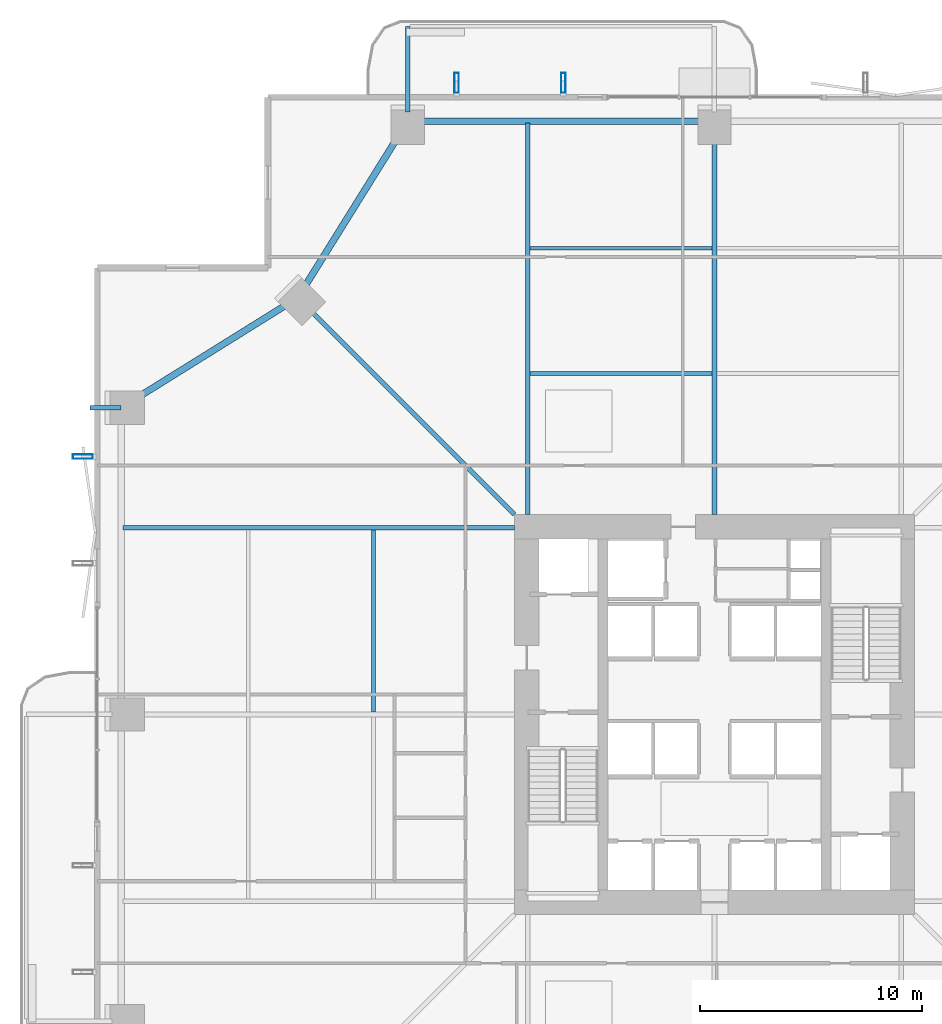
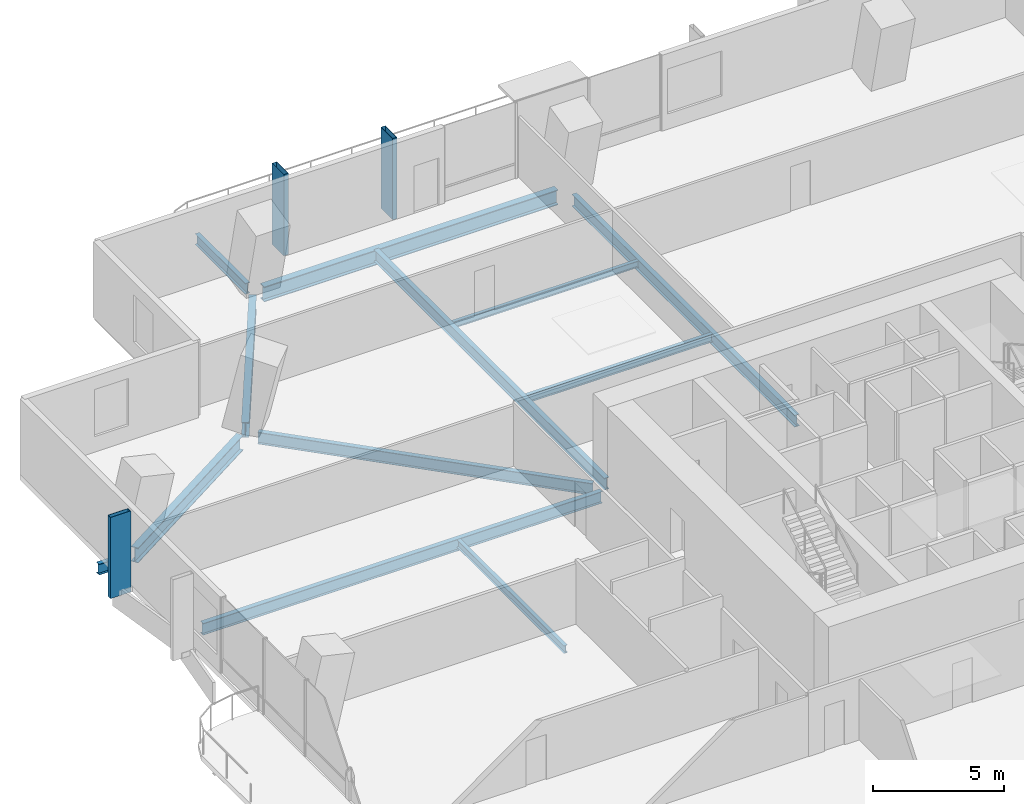
# One storey, part 10 of 24: 12 beams, 3 members.
"""IFC4 building model written with IfcOpenShell, lengths in metres."""

from ifc_helpers import new_model, si_unit, direction, frame, origin, origin_2d, place, context, subcontext, project, spatial, hollow_rectangle, i_section, extrude, material, material_profile, profile_set, type_object, element, save


model = new_model("IFC4")

# Units and contexts
model_context = context("Model", 3, precision=1e-05, world=origin(), true_north=direction((0.0, 1.0)))
body_context = subcontext(model_context, "Body", "Model", "MODEL_VIEW")
ifc_project = project(units=[si_unit("LENGTHUNIT", "METRE"), si_unit("AREAUNIT", "SQUARE_METRE"), si_unit("VOLUMEUNIT", "CUBIC_METRE"), si_unit("PLANEANGLEUNIT", "RADIAN"), si_unit("MASSUNIT", "GRAM", prefix="KILO")], contexts=[model_context])

# Site, building, storey
site_placement = place(None, origin())
site = spatial("IfcSite", under=ifc_project, at=site_placement, CompositionType="ELEMENT")
building_placement = place(site_placement, origin())
building = spatial("IfcBuilding", under=site, at=building_placement, Name="Belovzor Exchange Tower", CompositionType="ELEMENT")
storey_placement = place(building_placement, frame((0.0, 0.0, 104.10009765625)))
storey = spatial("IfcBuildingStorey", under=building, at=storey_placement, Name="L25", CompositionType="ELEMENT", Elevation=104.10009765625)

# Beams
ifc_material_1 = material(Name="Steel S355", Category="steel")
ifc_material_profile_1 = material_profile(ifc_material_1, i_section(OverallWidth=0.199951171875, OverallDepth=0.5, WebThickness=0.01025390625, FlangeThickness=0.01611328125, at=origin_2d()))
ifc_profile_set_1 = profile_set([ifc_material_profile_1], Name="Steel S355")
beam_type_1 = type_object("IfcBeamType", Name="Planted Balcony Cantilever Beam IPE 500", PredefinedType="BEAM", material=ifc_profile_set_1)
beam_1_placement = place(storey_placement, frame((15.0, 55.9130859375, -0.5), z_axis=(0.0, 1.0, 0.0), x_axis=(-1.0, 0.0, 0.0)))
element("IfcBeam", 1, at=beam_1_placement, inside=storey, type_object=beam_type_1, Name="BC-500 Planted Balcony Cantilever Beam IPE 500", PredefinedType="BEAM", context=body_context, shape_type="SweptSolid", body=[
    extrude(i_section(OverallWidth=0.199951171875, OverallDepth=0.5, WebThickness=0.01025390625, FlangeThickness=0.01611328125, at=origin_2d()), origin(), (0.0, 0.0, 1.0), 3.849853515625),
])
beam_2_placement = place(storey_placement, frame((2.10009765625, 42.60009765625, -0.5), z_axis=(-1.0, 0.0, 0.0), x_axis=(0.0, -1.0, 0.0)))
element("IfcBeam", 2, at=beam_2_placement, inside=storey, type_object=beam_type_1, Name="BC-500 Planted Balcony Cantilever Beam IPE 500", PredefinedType="BEAM", context=body_context, shape_type="SweptSolid", body=[
    extrude(i_section(OverallWidth=0.199951171875, OverallDepth=0.5, WebThickness=0.01025390625, FlangeThickness=0.01611328125, at=origin_2d()), origin(), (0.0, 0.0, 1.0), 1.400146484375),
])
ifc_material_2 = material(Name="Steel S355", Category="steel")
ifc_material_profile_2 = material_profile(ifc_material_2, i_section(OverallWidth=0.169921875, OverallDepth=0.360107421875, WebThickness=0.008056640625, FlangeThickness=0.0126953125, at=origin_2d()))
ifc_profile_set_2 = profile_set([ifc_material_profile_2], Name="Steel S355")
beam_type_2 = type_object("IfcBeamType", Name="Secondary Infill Floor Joist IPE 360", PredefinedType="BEAM", material=ifc_profile_set_2)
beam_3_placement = place(storey_placement, frame((20.5048828125, 44.14501953125, -0.43017578125), z_axis=(1.0, 0.0, 0.0), x_axis=(0.0, 1.0, 0.0)))
element("IfcBeam", 3, at=beam_3_placement, inside=storey, type_object=beam_type_2, Name="FJ-360 Secondary Infill Floor Joist IPE 360", PredefinedType="BEAM", context=body_context, shape_type="SweptSolid", body=[
    extrude(i_section(OverallWidth=0.169921875, OverallDepth=0.360107421875, WebThickness=0.008056640625, FlangeThickness=0.0126953125, at=origin_2d()), origin(), (0.0, 0.0, 1.0), 8.190185546875),
])
beam_4_placement = place(storey_placement, frame((13.455078125, 28.905029296875, -0.43017578125), z_axis=(0.0, 1.0, 0.0), x_axis=(-1.0, 0.0, 0.0)))
element("IfcBeam", 4, at=beam_4_placement, inside=storey, type_object=beam_type_2, Name="FJ-360 Secondary Infill Floor Joist IPE 360", PredefinedType="BEAM", context=body_context, shape_type="SweptSolid", body=[
    extrude(i_section(OverallWidth=0.169921875, OverallDepth=0.360107421875, WebThickness=0.008056640625, FlangeThickness=0.0126953125, at=origin_2d()), origin(), (0.0, 0.0, 1.0), 8.18994140625),
])
ifc_material_3 = material(Name="Steel S355", Category="steel")
ifc_material_profile_3 = material_profile(ifc_material_3, i_section(OverallWidth=0.14990234375, OverallDepth=0.300048828125, WebThickness=0.007080078125, FlangeThickness=0.0107421875, at=origin_2d()))
ifc_profile_set_3 = profile_set([ifc_material_profile_3], Name="Steel S355")
beam_type_3 = type_object("IfcBeamType", Name="Secondary Trim Floor Joist IPE 300", PredefinedType="BEAM", material=ifc_profile_set_3)
beam_5_placement = place(storey_placement, frame((20.5048828125, 49.784912109375, -0.400146484375), z_axis=(1.0, 0.0, 0.0), x_axis=(0.0, 1.0, 0.0)))
element("IfcBeam", 5, at=beam_5_placement, inside=storey, type_object=beam_type_3, Name="FJ-300 Secondary Trim Floor Joist IPE 300", PredefinedType="BEAM", context=body_context, shape_type="SweptSolid", body=[
    extrude(i_section(OverallWidth=0.14990234375, OverallDepth=0.300048828125, WebThickness=0.007080078125, FlangeThickness=0.0107421875, at=origin_2d()), origin(), (0.0, 0.0, 1.0), 8.190185546875),
])

# Members
ifc_material_4 = material(Name="Extruded Architectural Terracotta on Steel S355 Carrier", Category="masonry")
ifc_material_profile_4 = material_profile(ifc_material_4, hollow_rectangle(XDim=0.199951171875, YDim=0.89990234375, WallThickness=0.011962890625, at=origin_2d()))
ifc_profile_set_4 = profile_set([ifc_material_profile_4], Name="Extruded Architectural Terracotta on Steel S355 Carrier")
member_type = type_object("IfcMemberType", Name="Sweeping Terracotta Baguette Fin Assembly 1250", PredefinedType="USERDEFINED", material=ifc_profile_set_4)
for number, where, z_axis, x_axis, name in (
    (6, (17.199951171875, 57.22509765625, -0.25), (0.0, 0.0, 1.0), (1.0, 0.0, 0.0), "FIN-TC125 Terracotta Facade Fin L25 N1"),
    (7, (22.0, 57.22509765625, -0.25), (0.0, 0.0, 1.0), (1.0, 0.0, 0.0), "FIN-TC125 Terracotta Facade Fin L25 N2"),
    (8, (0.375, 40.39990234375, -0.25), (0.0, 0.0, 1.0), (0.0, 1.0, 0.0), "FIN-TC125 Terracotta Facade Fin L25 W4"),
):
    element("IfcMember", number, at=place(storey_placement, frame(where, z_axis=z_axis, x_axis=x_axis)), inside=storey, type_object=member_type, Name=name, ObjectType="FIN", PredefinedType="USERDEFINED", context=body_context, shape_type="SweptSolid", body=[
        extrude(hollow_rectangle(XDim=0.199951171875, YDim=0.89990234375, WallThickness=0.011962890625, at=origin_2d()), origin(), (0.0, 0.0, 1.0), 3.789794921875),
    ])

# Beams
ifc_material_5 = material(Name="Steel S355", Category="steel")
ifc_material_profile_5 = material_profile(ifc_material_5, i_section(OverallWidth=0.300048828125, OverallDepth=0.699951171875, WebThickness=0.01708984375, FlangeThickness=0.031982421875, at=origin_2d()))
ifc_profile_set_5 = profile_set([ifc_material_profile_5], Name="Steel S355")
beam_type_4 = type_object("IfcBeamType", Name="Zone 1 Primary Perimeter Girder HEB 700", PredefinedType="BEAM", material=ifc_profile_set_5)
beam_6_placement = place(storey_placement, frame((28.386962890625, 55.5, -0.60009765625), z_axis=(-1.0, 0.0, 0.0), x_axis=(0.0, -1.0, 0.0)))
element("IfcBeam", 9, at=beam_6_placement, inside=storey, type_object=beam_type_4, Name="FG-Z1 Zone 1 Primary Perimeter Girder HEB 700", PredefinedType="BEAM", context=body_context, shape_type="SweptSolid", body=[
    extrude(i_section(OverallWidth=0.300048828125, OverallDepth=0.699951171875, WebThickness=0.01708984375, FlangeThickness=0.031982421875, at=origin_2d()), origin(), (0.0, 0.0, 1.0), 12.974853515625),
])
for number, where, z_axis, x_axis, name in (
    (10, (14.781982421875, 55.14990234375, -0.60009765625), (-0.528538629686, -0.848909251292, 0.0), (0.848909251292, -0.528538629686, 0.0), "FG-Z1 Zone 1 Primary Perimeter Girder HEB 700"),
    (11, (9.699951171875, 47.33203125, -0.60009765625), (-0.848909251292, -0.528538629686, 0.0), (0.528538629686, -0.848909251292, 0.0), "FG-Z1 Zone 1 Primary Perimeter Girder HEB 700"),
):
    element("IfcBeam", number, at=place(storey_placement, frame(where, z_axis=z_axis, x_axis=x_axis)), inside=storey, type_object=beam_type_4, Name=name, PredefinedType="BEAM", context=body_context, shape_type="SweptSolid", body=[
        extrude(i_section(OverallWidth=0.300048828125, OverallDepth=0.699951171875, WebThickness=0.01708984375, FlangeThickness=0.031982421875, at=origin_2d()), origin(), (0.0, 0.0, 1.0), 8.540283203125),
    ])
ifc_material_6 = material(Name="Steel S355", Category="steel")
ifc_material_profile_6 = material_profile(ifc_material_6, i_section(OverallWidth=0.2099609375, OverallDepth=0.550048828125, WebThickness=0.010986328125, FlangeThickness=0.01708984375, at=origin_2d()))
ifc_profile_set_6 = profile_set([ifc_material_profile_6], Name="Steel S355")
beam_type_5 = type_object("IfcBeamType", Name="Zone 1 Radial Composite Floor Beam IPE 550", PredefinedType="BEAM", material=ifc_profile_set_6)
beam_7_placement = place(storey_placement, frame((20.39990234375, 37.800048828125, -0.525146484375), z_axis=(0.0, 1.0, 0.0), x_axis=(-1.0, 0.0, 0.0)))
element("IfcBeam", 12, at=beam_7_placement, inside=storey, type_object=beam_type_5, Name="FB-550 Zone 1 Radial Composite Floor Beam IPE 550", PredefinedType="BEAM", context=body_context, shape_type="SweptSolid", body=[
    extrude(i_section(OverallWidth=0.2099609375, OverallDepth=0.550048828125, WebThickness=0.010986328125, FlangeThickness=0.01708984375, at=origin_2d()), origin(), (0.0, 0.0, 1.0), 17.625),
])
beam_8_placement = place(storey_placement, frame((28.800048828125, 37.800048828125, -0.525146484375), z_axis=(0.0, 1.0, 0.0), x_axis=(-1.0, 0.0, 0.0)))
element("IfcBeam", 13, at=beam_8_placement, inside=storey, type_object=beam_type_5, Name="FB-550 Zone 1 Radial Composite Floor Beam IPE 550", PredefinedType="BEAM", context=body_context, shape_type="SweptSolid", body=[
    extrude(i_section(OverallWidth=0.2099609375, OverallDepth=0.550048828125, WebThickness=0.010986328125, FlangeThickness=0.01708984375, at=origin_2d()), origin(), (0.0, 0.0, 1.0), 17.0400390625),
])
beam_9_placement = place(storey_placement, frame((19.800048828125, 37.199951171875, -0.525146484375), z_axis=(-1.0, 0.0, 0.0), x_axis=(0.0, -1.0, 0.0)))
element("IfcBeam", 14, at=beam_9_placement, inside=storey, type_object=beam_type_5, Name="FB-550 Zone 1 Radial Composite Floor Beam IPE 550", PredefinedType="BEAM", context=body_context, shape_type="SweptSolid", body=[
    extrude(i_section(OverallWidth=0.2099609375, OverallDepth=0.550048828125, WebThickness=0.010986328125, FlangeThickness=0.01708984375, at=origin_2d()), origin(), (0.0, 0.0, 1.0), 17.625),
])
beam_10_placement = place(storey_placement, frame((19.800048828125, 37.800048828125, -0.525146484375), z_axis=(-0.707106781187, 0.707106781187, 0.0), x_axis=(-0.707106781187, -0.707106781187, 0.0)))
element("IfcBeam", 15, at=beam_10_placement, inside=storey, type_object=beam_type_5, Name="FB-550 Zone 1 Radial Composite Floor Beam IPE 550", PredefinedType="BEAM", context=body_context, shape_type="SweptSolid", body=[
    extrude(i_section(OverallWidth=0.2099609375, OverallDepth=0.550048828125, WebThickness=0.010986328125, FlangeThickness=0.01708984375, at=origin_2d()), origin(), (0.0, 0.0, 1.0), 13.25830078125),
])

save(model, "model.ifc")
